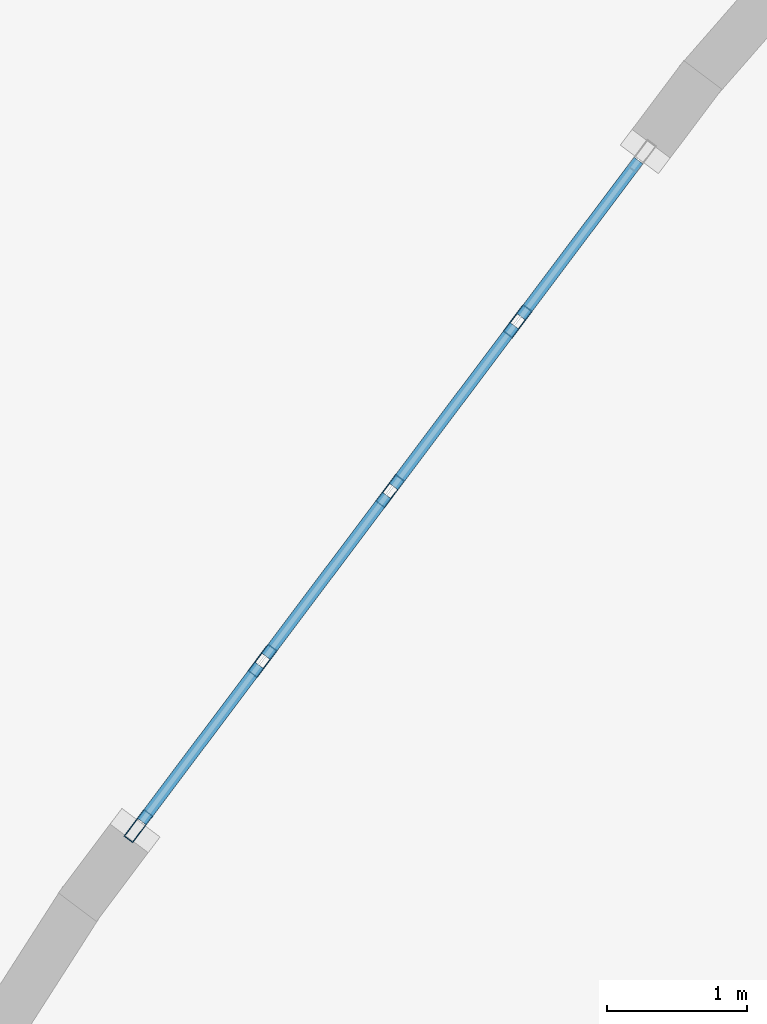
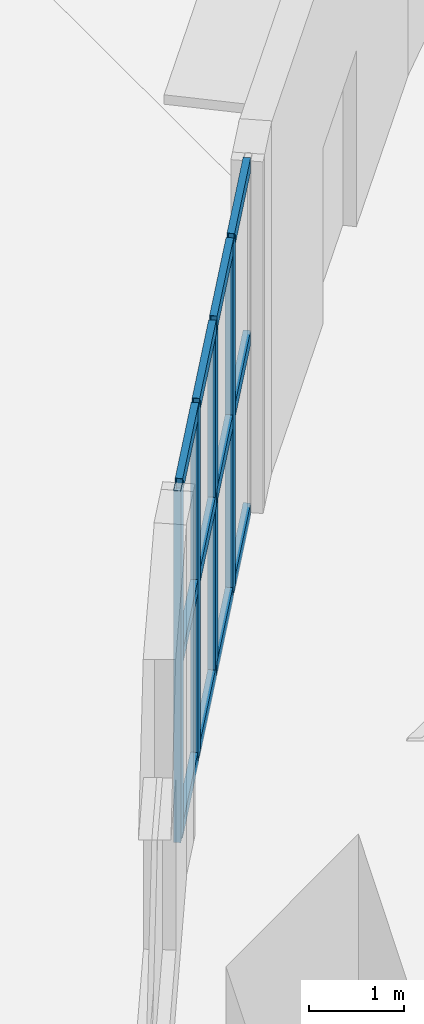
# One storey, part 12 of 32: 16 members, 1 element without a shape of its own.
"""IFC4 building model written with IfcOpenShell, lengths in metres."""

from ifc_helpers import new_model, si_unit, direction, frame, origin, origin_2d, place, context, subcontext, project, spatial, hollow_rectangle, extrude, material, layer, layer_set, material_profile, profile_set, type_object, element, aggregate, save


model = new_model("IFC4")

# Units and contexts
model_context = context("Model", 3, precision=1e-05, world=origin(), true_north=direction((0.0, 1.0)))
body_context = subcontext(model_context, "Body", "Model", "MODEL_VIEW")
ifc_project = project(units=[si_unit("LENGTHUNIT", "METRE"), si_unit("AREAUNIT", "SQUARE_METRE"), si_unit("VOLUMEUNIT", "CUBIC_METRE"), si_unit("PLANEANGLEUNIT", "RADIAN"), si_unit("MASSUNIT", "GRAM", prefix="KILO")], contexts=[model_context])

# Site, building, storey
site_placement = place(None, origin())
site = spatial("IfcSite", under=ifc_project, at=site_placement, CompositionType="ELEMENT")
building_placement = place(site_placement, origin())
building = spatial("IfcBuilding", under=site, at=building_placement, Name="Miruveldt Soraemaru", CompositionType="ELEMENT")
storey_placement = place(building_placement, origin())
storey = spatial("IfcBuildingStorey", under=building, at=storey_placement, Name="L01", CompositionType="ELEMENT", Elevation=0.0)

# Curtain wall, members
ifc_material = material(Name="Anodised aluminium EN AW-6063 T6", Category="aluminium")
ifc_layer = layer(ifc_material, 0.239990234375, Name="Anodised aluminium EN AW-6063 T6", Category="aluminium")
ifc_layer_set = layer_set([ifc_layer], Name="Anodised aluminium EN AW-6063 T6")
curtain_wall_type = type_object("IfcCurtainWallType", Name="CW-SYS-1", PredefinedType="USERDEFINED", material=ifc_layer_set)
curtain_wall_placement = place(storey_placement, origin())
curtain_wall = element("IfcCurtainWall", 1, at=curtain_wall_placement, inside=storey, type_object=curtain_wall_type, Name="L01 Curtain Wall Bay 9", ObjectType="STOREFRONT", PredefinedType="USERDEFINED")
ifc_material_profile_1 = material_profile(ifc_material, hollow_rectangle(XDim=0.080078125, YDim=0.239990234375, WallThickness=0.0048828125, at=origin_2d()), Name="Anodised aluminium EN AW-6063 T6", Category="aluminium")
ifc_profile_set_1 = profile_set([ifc_material_profile_1], Name="Anodised aluminium EN AW-6063 T6")
member_type_1 = type_object("IfcMemberType", Name="CWM-1", PredefinedType="MULLION", material=ifc_profile_set_1)
member_1_placement = place(storey_placement, frame((27.201171875, 64.426513671875, 0.0), z_axis=(0.0, 0.0, 1.0), x_axis=(0.799455924799, -0.600724749202, 0.0)))
member_1 = element("IfcMember", 2, at=member_1_placement, type_object=member_type_1, Name="CW-1 mullion 2", PredefinedType="MULLION", context=body_context, shape_type="SweptSolid", body=[
    extrude(hollow_rectangle(XDim=0.080078125, YDim=0.239990234375, WallThickness=0.0048828125, at=origin_2d()), origin(), (0.0, 0.0, 1.0), 4.5),
])
member_2_placement = place(storey_placement, frame((26.28955078125, 63.213623046875, 0.0), z_axis=(0.0, 0.0, 1.0), x_axis=(0.799455924799, -0.600724749202, 0.0)))
member_2 = element("IfcMember", 3, at=member_2_placement, type_object=member_type_1, Name="CW-1 mullion 3", PredefinedType="MULLION", context=body_context, shape_type="SweptSolid", body=[
    extrude(hollow_rectangle(XDim=0.080078125, YDim=0.239990234375, WallThickness=0.0048828125, at=origin_2d()), origin(), (0.0, 0.0, 1.0), 4.5),
])
member_3_placement = place(storey_placement, frame((25.378173828125, 62.00048828125, 0.0), z_axis=(0.0, 0.0, 1.0), x_axis=(0.799455924799, -0.600724749202, 0.0)))
member_3 = element("IfcMember", 4, at=member_3_placement, type_object=member_type_1, Name="CW-1 mullion 4", PredefinedType="MULLION", context=body_context, shape_type="SweptSolid", body=[
    extrude(hollow_rectangle(XDim=0.080078125, YDim=0.239990234375, WallThickness=0.0048828125, at=origin_2d()), origin(), (0.0, 0.0, 1.0), 4.5),
])
member_4_placement = place(storey_placement, frame((24.49072265625, 60.819580078125, 0.0), z_axis=(0.0, 0.0, 1.0), x_axis=(0.799455924799, -0.600724749202, 0.0)))
member_4 = element("IfcMember", 5, at=member_4_placement, type_object=member_type_1, Name="CW-1 mullion 5", PredefinedType="MULLION", context=body_context, shape_type="SweptSolid", body=[
    extrude(hollow_rectangle(XDim=0.080078125, YDim=0.239990234375, WallThickness=0.0048828125, at=origin_2d()), origin(), (0.0, 0.0, 1.0), 4.5),
])
ifc_material_profile_2 = material_profile(ifc_material, hollow_rectangle(XDim=0.080078125, YDim=0.179931640625, WallThickness=0.00390625, at=origin_2d()), Name="Anodised aluminium EN AW-6063 T6", Category="aluminium")
ifc_profile_set_2 = profile_set([ifc_material_profile_2], Name="Anodised aluminium EN AW-6063 T6")
member_type_2 = type_object("IfcMemberType", Name="CWT-1", PredefinedType="USERDEFINED", material=ifc_profile_set_2)
member_5_placement = place(storey_placement, frame((28.064453125, 65.575439453125, 0.0400390625), z_axis=(-0.600754607789, -0.799433487677, 0.0), x_axis=(0.799433487677, -0.600754607789, 0.0)))
member_5 = element("IfcMember", 6, at=member_5_placement, type_object=member_type_2, Name="CW-1 transom 1.1", ObjectType="TRANSOM", PredefinedType="USERDEFINED", context=body_context, shape_type="SweptSolid", body=[
    extrude(hollow_rectangle(XDim=0.080078125, YDim=0.179931640625, WallThickness=0.00390625, at=origin_2d()), origin(), (0.0, 0.0, 1.0), 1.397216796875),
])
member_6_placement = place(storey_placement, frame((28.064453125, 65.575439453125, 2.25), z_axis=(-0.600754607789, -0.799433487677, 0.0), x_axis=(0.799433487677, -0.600754607789, 0.0)))
member_6 = element("IfcMember", 7, at=member_6_placement, type_object=member_type_2, Name="CW-1 transom 1.2", ObjectType="TRANSOM", PredefinedType="USERDEFINED", context=body_context, shape_type="SweptSolid", body=[
    extrude(hollow_rectangle(XDim=0.080078125, YDim=0.179931640625, WallThickness=0.00390625, at=origin_2d()), origin(), (0.0, 0.0, 1.0), 1.397216796875),
])
member_7_placement = place(storey_placement, frame((28.064453125, 65.575439453125, 4.4599609375), z_axis=(-0.600754607789, -0.799433487677, 0.0), x_axis=(0.799433487677, -0.600754607789, 0.0)))
member_7 = element("IfcMember", 8, at=member_7_placement, type_object=member_type_2, Name="CW-1 transom 1.3", ObjectType="TRANSOM", PredefinedType="USERDEFINED", context=body_context, shape_type="SweptSolid", body=[
    extrude(hollow_rectangle(XDim=0.080078125, YDim=0.179931640625, WallThickness=0.00390625, at=origin_2d()), origin(), (0.0, 0.0, 1.0), 1.397216796875),
])
member_8_placement = place(storey_placement, frame((27.177001953125, 64.39453125, 0.0400390625), z_axis=(-0.600706479391, -0.799469652719, 0.0), x_axis=(0.799469652719, -0.600706479391, 0.0)))
member_8 = element("IfcMember", 9, at=member_8_placement, type_object=member_type_2, Name="CW-1 transom 2.1", ObjectType="TRANSOM", PredefinedType="USERDEFINED", context=body_context, shape_type="SweptSolid", body=[
    extrude(hollow_rectangle(XDim=0.080078125, YDim=0.179931640625, WallThickness=0.00390625, at=origin_2d()), origin(), (0.0, 0.0, 1.0), 1.43701171875),
])
member_9_placement = place(storey_placement, frame((27.177001953125, 64.39453125, 2.25), z_axis=(-0.600706479391, -0.799469652719, 0.0), x_axis=(0.799469652719, -0.600706479391, 0.0)))
member_9 = element("IfcMember", 10, at=member_9_placement, type_object=member_type_2, Name="CW-1 transom 2.2", ObjectType="TRANSOM", PredefinedType="USERDEFINED", context=body_context, shape_type="SweptSolid", body=[
    extrude(hollow_rectangle(XDim=0.080078125, YDim=0.179931640625, WallThickness=0.00390625, at=origin_2d()), origin(), (0.0, 0.0, 1.0), 1.43701171875),
])
member_10_placement = place(storey_placement, frame((27.177001953125, 64.39453125, 4.4599609375), z_axis=(-0.600706479391, -0.799469652719, 0.0), x_axis=(0.799469652719, -0.600706479391, 0.0)))
member_10 = element("IfcMember", 11, at=member_10_placement, type_object=member_type_2, Name="CW-1 transom 2.3", ObjectType="TRANSOM", PredefinedType="USERDEFINED", context=body_context, shape_type="SweptSolid", body=[
    extrude(hollow_rectangle(XDim=0.080078125, YDim=0.179931640625, WallThickness=0.00390625, at=origin_2d()), origin(), (0.0, 0.0, 1.0), 1.43701171875),
])
member_11_placement = place(storey_placement, frame((26.265625, 63.181640625, 0.0400390625), z_axis=(-0.600733467917, -0.799449373334, 0.0), x_axis=(0.799449373334, -0.600733467917, 0.0)))
member_11 = element("IfcMember", 12, at=member_11_placement, type_object=member_type_2, Name="CW-1 transom 3.1", ObjectType="TRANSOM", PredefinedType="USERDEFINED", context=body_context, shape_type="SweptSolid", body=[
    extrude(hollow_rectangle(XDim=0.080078125, YDim=0.179931640625, WallThickness=0.00390625, at=origin_2d()), origin(), (0.0, 0.0, 1.0), 1.4375),
])
member_12_placement = place(storey_placement, frame((26.265625, 63.181640625, 2.25), z_axis=(-0.600733467917, -0.799449373334, 0.0), x_axis=(0.799449373334, -0.600733467917, 0.0)))
member_12 = element("IfcMember", 13, at=member_12_placement, type_object=member_type_2, Name="CW-1 transom 3.2", ObjectType="TRANSOM", PredefinedType="USERDEFINED", context=body_context, shape_type="SweptSolid", body=[
    extrude(hollow_rectangle(XDim=0.080078125, YDim=0.179931640625, WallThickness=0.00390625, at=origin_2d()), origin(), (0.0, 0.0, 1.0), 1.4375),
])
member_13_placement = place(storey_placement, frame((26.265625, 63.181640625, 4.4599609375), z_axis=(-0.600733467917, -0.799449373334, 0.0), x_axis=(0.799449373334, -0.600733467917, 0.0)))
member_13 = element("IfcMember", 14, at=member_13_placement, type_object=member_type_2, Name="CW-1 transom 3.3", ObjectType="TRANSOM", PredefinedType="USERDEFINED", context=body_context, shape_type="SweptSolid", body=[
    extrude(hollow_rectangle(XDim=0.080078125, YDim=0.179931640625, WallThickness=0.00390625, at=origin_2d()), origin(), (0.0, 0.0, 1.0), 1.4375),
])
member_14_placement = place(storey_placement, frame((25.35400390625, 61.968505859375, 0.0400390625), z_axis=(-0.600754607789, -0.799433487677, 0.0), x_axis=(0.799433487677, -0.600754607789, 0.0)))
member_14 = element("IfcMember", 15, at=member_14_placement, type_object=member_type_2, Name="CW-1 transom 4.1", ObjectType="TRANSOM", PredefinedType="USERDEFINED", context=body_context, shape_type="SweptSolid", body=[
    extrude(hollow_rectangle(XDim=0.080078125, YDim=0.179931640625, WallThickness=0.00390625, at=origin_2d()), origin(), (0.0, 0.0, 1.0), 1.397216796875),
])
member_15_placement = place(storey_placement, frame((25.35400390625, 61.968505859375, 2.25), z_axis=(-0.600754607789, -0.799433487677, 0.0), x_axis=(0.799433487677, -0.600754607789, 0.0)))
member_15 = element("IfcMember", 16, at=member_15_placement, type_object=member_type_2, Name="CW-1 transom 4.2", ObjectType="TRANSOM", PredefinedType="USERDEFINED", context=body_context, shape_type="SweptSolid", body=[
    extrude(hollow_rectangle(XDim=0.080078125, YDim=0.179931640625, WallThickness=0.00390625, at=origin_2d()), origin(), (0.0, 0.0, 1.0), 1.397216796875),
])
member_16_placement = place(storey_placement, frame((25.35400390625, 61.968505859375, 4.4599609375), z_axis=(-0.600754607789, -0.799433487677, 0.0), x_axis=(0.799433487677, -0.600754607789, 0.0)))
member_16 = element("IfcMember", 17, at=member_16_placement, type_object=member_type_2, Name="CW-1 transom 4.3", ObjectType="TRANSOM", PredefinedType="USERDEFINED", context=body_context, shape_type="SweptSolid", body=[
    extrude(hollow_rectangle(XDim=0.080078125, YDim=0.179931640625, WallThickness=0.00390625, at=origin_2d()), origin(), (0.0, 0.0, 1.0), 1.397216796875),
])
aggregate(curtain_wall, [member_1, member_2, member_3, member_4, member_5, member_6, member_7, member_8, member_9, member_10, member_11, member_12, member_13, member_14, member_15, member_16])

save(model, "model.ifc")
